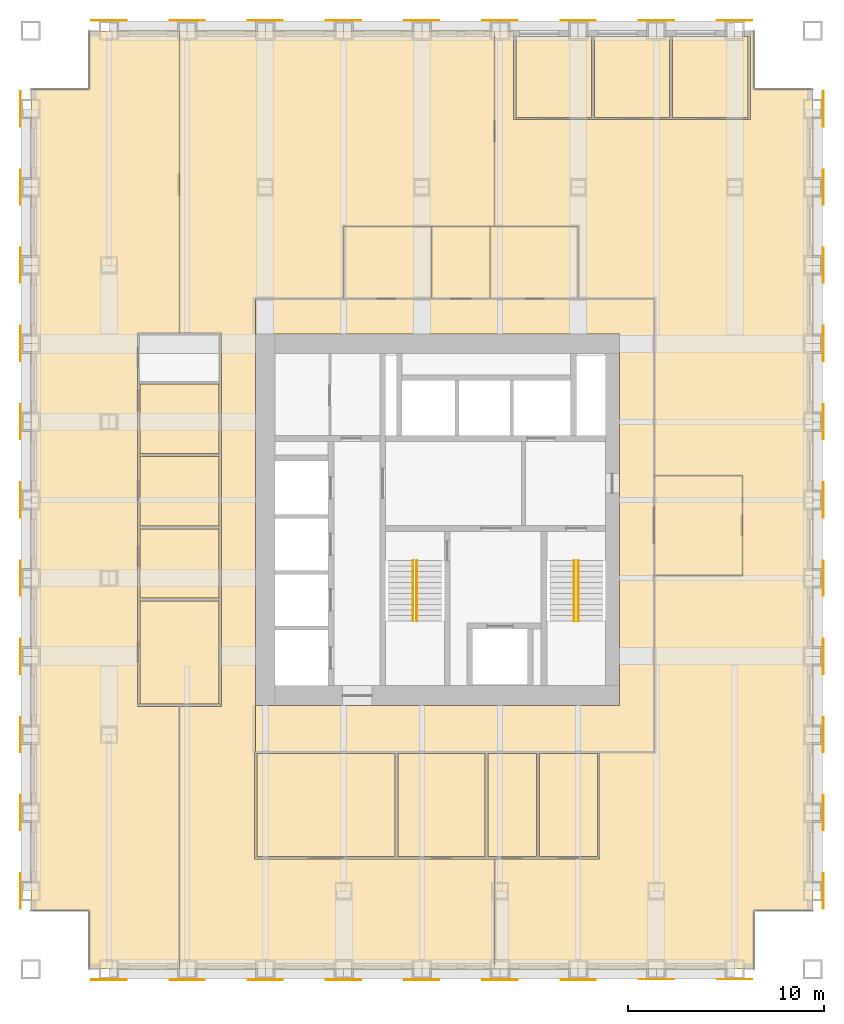
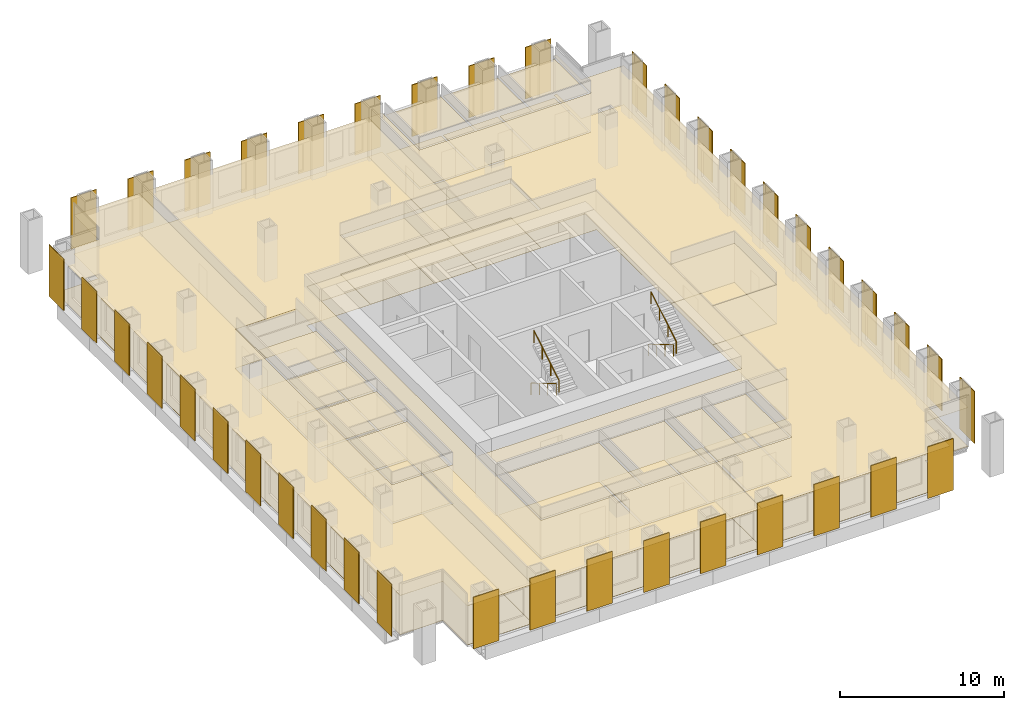
# One storey, part 12 of 12: 40 shading devices, 37 coverings, 4 railings.
"""IFC4 building model written with IfcOpenShell, lengths in metres."""

from ifc_helpers import new_model, si_unit, direction, frame, origin, origin_2d, place, context, subcontext, project, spatial, polyline, rectangle, circle, outline, extrude, material, layer, layer_set, type_object, element, save


model = new_model("IFC4")

# Units and contexts
model_context = context("Model", 3, precision=1e-05, world=origin(), true_north=direction((0.0, 1.0)))
body_context = subcontext(model_context, "Body", "Model", "MODEL_VIEW")
ifc_project = project(units=[si_unit("LENGTHUNIT", "METRE"), si_unit("AREAUNIT", "SQUARE_METRE"), si_unit("VOLUMEUNIT", "CUBIC_METRE"), si_unit("PLANEANGLEUNIT", "RADIAN"), si_unit("MASSUNIT", "GRAM", prefix="KILO")], contexts=[model_context])

# Site, building, storey
site_placement = place(None, origin())
site = spatial("IfcSite", under=ifc_project, at=site_placement, CompositionType="ELEMENT")
building_placement = place(site_placement, origin())
building = spatial("IfcBuilding", under=site, at=building_placement, Name="Rimbunsela Tower", CompositionType="ELEMENT")
storey_placement = place(building_placement, frame((0.0, 0.0, 163.800048828125)))
storey = spatial("IfcBuildingStorey", under=building, at=storey_placement, Name="L39", CompositionType="ELEMENT", Elevation=163.800048828125)

# Coverings
ifc_material_1 = material(Name="Nylon carpet tile", Category="textile")
ifc_layer_1 = layer(ifc_material_1, 0.010009765625)
ifc_layer_set_1 = layer_set([ifc_layer_1], Name="Carpet tile 10")
covering_type_1 = type_object("IfcCoveringType", Name="Carpet tile 10", PredefinedType="FLOORING", material=ifc_layer_set_1)
covering_1_placement = place(storey_placement, origin())
element("IfcCovering", 1, at=covering_1_placement, inside=storey, type_object=covering_type_1, Name="Floor finish Open office", PredefinedType="FLOORING", context=body_context, shape_type="SweptSolid", body=[
    extrude(outline(polyline([(29.72509765625, 52.0), (30.699951171875, 52.0), (30.699951171875, 47.449951171875), (34.699951171875, 47.449951171875), (34.800048828125, 47.449951171875), (37.89990234375, 47.449951171875), (38.699951171875, 47.449951171875), (38.800048828125, 47.449951171875), (42.800048828125, 47.449951171875), (42.800048828125, 52.0), (43.0, 52.0), (43.0, 49.0), (46.0, 49.0), (46.0, 7.0), (43.0, 7.0), (43.0, 4.0), (37.89990234375, 4.0), (29.72509765625, 4.0), (29.72509765625, 9.64990234375), (31.89990234375, 9.64990234375), (32.0, 9.64990234375), (35.10009765625, 9.64990234375), (35.10009765625, 15.10009765625), (37.89990234375, 15.10009765625), (37.89990234375, 24.14990234375), (42.39990234375, 24.14990234375), (42.39990234375, 29.25), (37.89990234375, 29.25), (37.89990234375, 38.300048828125), (34.0, 38.300048828125), (34.0, 42.0), (29.72509765625, 42.0), (29.72509765625, 52.0)])), origin(), (0.0, 0.0, 1.0), 0.010009765625),
])
covering_2_placement = place(storey_placement, origin())
element("IfcCovering", 2, at=covering_2_placement, inside=storey, type_object=covering_type_1, Name="Floor finish Open office", PredefinedType="FLOORING", context=body_context, shape_type="SweptSolid", body=[
    extrude(outline(polyline([(13.60009765625, 4.0), (9.0, 4.0), (9.0, 7.0), (6.0, 7.0), (6.0, 49.0), (9.0, 49.0), (9.0, 52.0), (13.60009765625, 52.0), (13.60009765625, 36.550048828125), (11.449951171875, 36.550048828125), (11.449951171875, 34.050048828125), (11.449951171875, 33.949951171875), (11.449951171875, 30.35009765625), (11.449951171875, 30.25), (11.449951171875, 26.64990234375), (11.449951171875, 26.550048828125), (11.449951171875, 22.949951171875), (11.449951171875, 22.85009765625), (11.449951171875, 17.449951171875), (13.60009765625, 17.449951171875), (13.60009765625, 4.0)])), origin(), (0.0, 0.0, 1.0), 0.010009765625),
])
covering_3_placement = place(storey_placement, origin())
element("IfcCovering", 3, at=covering_3_placement, inside=storey, type_object=covering_type_1, Name="Floor finish Open office", PredefinedType="FLOORING", context=body_context, shape_type="SweptSolid", body=[
    extrude(outline(polyline([(17.5, 4.0), (13.60009765625, 4.0), (13.60009765625, 17.449951171875), (15.75, 17.449951171875), (15.75, 22.85009765625), (15.75, 22.949951171875), (15.75, 26.550048828125), (15.75, 26.64990234375), (15.75, 30.25), (15.75, 30.35009765625), (15.75, 33.949951171875), (15.75, 34.050048828125), (15.75, 36.550048828125), (13.60009765625, 36.550048828125), (13.60009765625, 52.0), (17.5, 52.0), (29.72509765625, 52.0), (29.72509765625, 42.0), (22.0, 42.0), (22.0, 38.300048828125), (17.5, 38.300048828125), (17.5, 36.5), (17.5, 17.5), (17.5, 15.14990234375), (17.449951171875, 15.14990234375), (17.449951171875, 9.64990234375), (17.5, 9.64990234375), (24.64990234375, 9.64990234375), (24.75, 9.64990234375), (29.25, 9.64990234375), (29.35009765625, 9.64990234375), (29.72509765625, 9.64990234375), (29.72509765625, 4.0), (17.5, 4.0)])), origin(), (0.0, 0.0, 1.0), 0.010009765625),
])
covering_4_placement = place(storey_placement, origin())
element("IfcCovering", 4, at=covering_4_placement, inside=storey, type_object=covering_type_1, Name="Floor finish Reception", PredefinedType="FLOORING", context=body_context, shape_type="SweptSolid", body=[
    extrude(outline(polyline([(42.39990234375, 24.14990234375), (42.39990234375, 29.25), (37.89990234375, 29.25), (37.89990234375, 24.14990234375), (42.39990234375, 24.14990234375)])), origin(), (0.0, 0.0, 1.0), 0.010009765625),
])
covering_5_placement = place(storey_placement, origin())
element("IfcCovering", 5, at=covering_5_placement, inside=storey, type_object=covering_type_1, Name="Floor finish Executive office", PredefinedType="FLOORING", context=body_context, shape_type="SweptSolid", body=[
    extrude(outline(polyline([(34.675048828125, 47.574951171875), (34.675048828125, 51.699951171875), (30.824951171875, 51.699951171875), (30.824951171875, 47.574951171875), (34.675048828125, 47.574951171875)])), origin(), (0.0, 0.0, 1.0), 0.010009765625),
])
covering_6_placement = place(storey_placement, origin())
element("IfcCovering", 6, at=covering_6_placement, inside=storey, type_object=covering_type_1, Name="Floor finish Executive office", PredefinedType="FLOORING", context=body_context, shape_type="SweptSolid", body=[
    extrude(outline(polyline([(38.675048828125, 47.574951171875), (38.675048828125, 51.699951171875), (34.824951171875, 51.699951171875), (34.824951171875, 47.574951171875), (38.675048828125, 47.574951171875)])), origin(), (0.0, 0.0, 1.0), 0.010009765625),
])
covering_7_placement = place(storey_placement, origin())
element("IfcCovering", 7, at=covering_7_placement, inside=storey, type_object=covering_type_1, Name="Floor finish Executive office", PredefinedType="FLOORING", context=body_context, shape_type="SweptSolid", body=[
    extrude(outline(polyline([(42.675048828125, 47.574951171875), (42.675048828125, 51.699951171875), (38.824951171875, 51.699951171875), (38.824951171875, 47.574951171875), (42.675048828125, 47.574951171875)])), origin(), (0.0, 0.0, 1.0), 0.010009765625),
])
covering_8_placement = place(storey_placement, origin())
element("IfcCovering", 8, at=covering_8_placement, inside=storey, type_object=covering_type_1, Name="Floor finish Boardroom", PredefinedType="FLOORING", context=body_context, shape_type="SweptSolid", body=[
    extrude(outline(polyline([(24.625, 9.77490234375), (24.625, 15.02490234375), (17.574951171875, 15.02490234375), (17.574951171875, 9.77490234375), (24.625, 9.77490234375)])), origin(), (0.0, 0.0, 1.0), 0.010009765625),
])
covering_9_placement = place(storey_placement, origin())
element("IfcCovering", 9, at=covering_9_placement, inside=storey, type_object=covering_type_1, Name="Floor finish Pantry", PredefinedType="FLOORING", context=body_context, shape_type="SweptSolid", body=[
    extrude(outline(polyline([(29.22509765625, 9.77490234375), (29.22509765625, 15.02490234375), (24.77490234375, 15.02490234375), (24.77490234375, 9.77490234375), (29.22509765625, 9.77490234375)])), origin(), (0.0, 0.0, 1.0), 0.010009765625),
])
covering_10_placement = place(storey_placement, origin())
element("IfcCovering", 10, at=covering_10_placement, inside=storey, type_object=covering_type_1, Name="Floor finish Print and copy room", PredefinedType="FLOORING", context=body_context, shape_type="SweptSolid", body=[
    extrude(outline(polyline([(31.875, 9.77490234375), (31.875, 15.02490234375), (29.375, 15.02490234375), (29.375, 9.77490234375), (31.875, 9.77490234375)])), origin(), (0.0, 0.0, 1.0), 0.010009765625),
])
covering_11_placement = place(storey_placement, origin())
element("IfcCovering", 11, at=covering_11_placement, inside=storey, type_object=covering_type_1, Name="Floor finish Office", PredefinedType="FLOORING", context=body_context, shape_type="SweptSolid", body=[
    extrude(outline(polyline([(34.97509765625, 9.77490234375), (34.97509765625, 15.02490234375), (32.02490234375, 15.02490234375), (32.02490234375, 9.77490234375), (34.97509765625, 9.77490234375)])), origin(), (0.0, 0.0, 1.0), 0.010009765625),
])
covering_12_placement = place(storey_placement, origin())
element("IfcCovering", 12, at=covering_12_placement, inside=storey, type_object=covering_type_1, Name="Floor finish Meeting room", PredefinedType="FLOORING", context=body_context, shape_type="SweptSolid", body=[
    extrude(outline(polyline([(15.625, 17.574951171875), (15.625, 22.824951171875), (11.574951171875, 22.824951171875), (11.574951171875, 17.574951171875), (15.625, 17.574951171875)])), origin(), (0.0, 0.0, 1.0), 0.010009765625),
])
covering_13_placement = place(storey_placement, origin())
element("IfcCovering", 13, at=covering_13_placement, inside=storey, type_object=covering_type_1, Name="Floor finish Meeting room", PredefinedType="FLOORING", context=body_context, shape_type="SweptSolid", body=[
    extrude(outline(polyline([(15.625, 22.97509765625), (15.625, 26.52490234375), (11.574951171875, 26.52490234375), (11.574951171875, 22.97509765625), (15.625, 22.97509765625)])), origin(), (0.0, 0.0, 1.0), 0.010009765625),
])
covering_14_placement = place(storey_placement, origin())
element("IfcCovering", 14, at=covering_14_placement, inside=storey, type_object=covering_type_1, Name="Floor finish Meeting room", PredefinedType="FLOORING", context=body_context, shape_type="SweptSolid", body=[
    extrude(outline(polyline([(15.625, 26.675048828125), (15.625, 30.22509765625), (11.574951171875, 30.22509765625), (11.574951171875, 26.675048828125), (15.625, 26.675048828125)])), origin(), (0.0, 0.0, 1.0), 0.010009765625),
])
covering_15_placement = place(storey_placement, origin())
element("IfcCovering", 15, at=covering_15_placement, inside=storey, type_object=covering_type_1, Name="Floor finish Meeting room", PredefinedType="FLOORING", context=body_context, shape_type="SweptSolid", body=[
    extrude(outline(polyline([(15.625, 30.375), (15.625, 33.925048828125), (11.574951171875, 33.925048828125), (11.574951171875, 30.375), (15.625, 30.375)])), origin(), (0.0, 0.0, 1.0), 0.010009765625),
])
ifc_material_2 = material(Name="Mineral fibre ceiling tile", Category="gypsum")
ifc_layer_2 = layer(ifc_material_2, 0.02001953125)
ifc_layer_set_2 = layer_set([ifc_layer_2], Name="Ceiling 600 grid")
covering_type_2 = type_object("IfcCoveringType", Name="Ceiling 600 grid", PredefinedType="CEILING", material=ifc_layer_set_2)
covering_16_placement = place(storey_placement, frame((0.0, 0.0, 2.89990234375)))
element("IfcCovering", 16, at=covering_16_placement, inside=storey, type_object=covering_type_2, Name="Ceiling U-shaped corridor", PredefinedType="CEILING", context=body_context, shape_type="SweptSolid", body=[
    extrude(outline(polyline([(37.89990234375, 38.300048828125), (37.89990234375, 15.10009765625), (17.5, 15.10009765625), (17.5, 17.5), (36.10009765625, 17.5), (36.10009765625, 36.5), (17.5, 36.5), (17.5, 38.300048828125), (37.89990234375, 38.300048828125)])), origin(), (0.0, 0.0, 1.0), 0.02001953125),
])
covering_17_placement = place(storey_placement, frame((0.0, 0.0, 2.89990234375)))
element("IfcCovering", 17, at=covering_17_placement, inside=storey, type_object=covering_type_2, Name="Ceiling Open office", PredefinedType="CEILING", context=body_context, shape_type="SweptSolid", body=[
    extrude(outline(polyline([(29.72509765625, 52.0), (30.699951171875, 52.0), (30.699951171875, 47.449951171875), (34.699951171875, 47.449951171875), (34.800048828125, 47.449951171875), (37.89990234375, 47.449951171875), (38.699951171875, 47.449951171875), (38.800048828125, 47.449951171875), (42.800048828125, 47.449951171875), (42.800048828125, 52.0), (43.0, 52.0), (43.0, 49.0), (46.0, 49.0), (46.0, 7.0), (43.0, 7.0), (43.0, 4.0), (37.89990234375, 4.0), (29.72509765625, 4.0), (29.72509765625, 9.64990234375), (31.89990234375, 9.64990234375), (32.0, 9.64990234375), (35.10009765625, 9.64990234375), (35.10009765625, 15.10009765625), (37.89990234375, 15.10009765625), (37.89990234375, 24.14990234375), (42.39990234375, 24.14990234375), (42.39990234375, 29.25), (37.89990234375, 29.25), (37.89990234375, 38.300048828125), (34.0, 38.300048828125), (34.0, 42.0), (29.72509765625, 42.0), (29.72509765625, 52.0)])), origin(), (0.0, 0.0, 1.0), 0.02001953125),
])
covering_18_placement = place(storey_placement, frame((0.0, 0.0, 2.89990234375)))
element("IfcCovering", 18, at=covering_18_placement, inside=storey, type_object=covering_type_2, Name="Ceiling Open office", PredefinedType="CEILING", context=body_context, shape_type="SweptSolid", body=[
    extrude(outline(polyline([(13.60009765625, 4.0), (9.0, 4.0), (9.0, 7.0), (6.0, 7.0), (6.0, 49.0), (9.0, 49.0), (9.0, 52.0), (13.60009765625, 52.0), (13.60009765625, 36.550048828125), (11.449951171875, 36.550048828125), (11.449951171875, 34.050048828125), (11.449951171875, 33.949951171875), (11.449951171875, 30.35009765625), (11.449951171875, 30.25), (11.449951171875, 26.64990234375), (11.449951171875, 26.550048828125), (11.449951171875, 22.949951171875), (11.449951171875, 22.85009765625), (11.449951171875, 17.449951171875), (13.60009765625, 17.449951171875), (13.60009765625, 4.0)])), origin(), (0.0, 0.0, 1.0), 0.02001953125),
])
covering_19_placement = place(storey_placement, frame((0.0, 0.0, 2.89990234375)))
element("IfcCovering", 19, at=covering_19_placement, inside=storey, type_object=covering_type_2, Name="Ceiling Open office", PredefinedType="CEILING", context=body_context, shape_type="SweptSolid", body=[
    extrude(outline(polyline([(17.5, 4.0), (13.60009765625, 4.0), (13.60009765625, 17.449951171875), (15.75, 17.449951171875), (15.75, 22.85009765625), (15.75, 22.949951171875), (15.75, 26.550048828125), (15.75, 26.64990234375), (15.75, 30.25), (15.75, 30.35009765625), (15.75, 33.949951171875), (15.75, 34.050048828125), (15.75, 36.550048828125), (13.60009765625, 36.550048828125), (13.60009765625, 52.0), (17.5, 52.0), (29.72509765625, 52.0), (29.72509765625, 42.0), (22.0, 42.0), (22.0, 38.300048828125), (17.5, 38.300048828125), (17.5, 36.5), (17.5, 17.5), (17.5, 15.14990234375), (17.449951171875, 15.14990234375), (17.449951171875, 9.64990234375), (17.5, 9.64990234375), (24.64990234375, 9.64990234375), (24.75, 9.64990234375), (29.25, 9.64990234375), (29.35009765625, 9.64990234375), (29.72509765625, 9.64990234375), (29.72509765625, 4.0), (17.5, 4.0)])), origin(), (0.0, 0.0, 1.0), 0.02001953125),
])
covering_20_placement = place(storey_placement, frame((0.0, 0.0, 2.89990234375)))
element("IfcCovering", 20, at=covering_20_placement, inside=storey, type_object=covering_type_2, Name="Ceiling Reception", PredefinedType="CEILING", context=body_context, shape_type="SweptSolid", body=[
    extrude(outline(polyline([(42.39990234375, 24.14990234375), (42.39990234375, 29.25), (37.89990234375, 29.25), (37.89990234375, 24.14990234375), (42.39990234375, 24.14990234375)])), origin(), (0.0, 0.0, 1.0), 0.02001953125),
])
covering_21_placement = place(storey_placement, frame((0.0, 0.0, 2.89990234375)))
element("IfcCovering", 21, at=covering_21_placement, inside=storey, type_object=covering_type_2, Name="Ceiling Executive office", PredefinedType="CEILING", context=body_context, shape_type="SweptSolid", body=[
    extrude(outline(polyline([(34.675048828125, 47.574951171875), (34.675048828125, 51.699951171875), (30.824951171875, 51.699951171875), (30.824951171875, 47.574951171875), (34.675048828125, 47.574951171875)])), origin(), (0.0, 0.0, 1.0), 0.02001953125),
])
covering_22_placement = place(storey_placement, frame((0.0, 0.0, 2.89990234375)))
element("IfcCovering", 22, at=covering_22_placement, inside=storey, type_object=covering_type_2, Name="Ceiling Executive office", PredefinedType="CEILING", context=body_context, shape_type="SweptSolid", body=[
    extrude(outline(polyline([(38.675048828125, 47.574951171875), (38.675048828125, 51.699951171875), (34.824951171875, 51.699951171875), (34.824951171875, 47.574951171875), (38.675048828125, 47.574951171875)])), origin(), (0.0, 0.0, 1.0), 0.02001953125),
])
covering_23_placement = place(storey_placement, frame((0.0, 0.0, 2.89990234375)))
element("IfcCovering", 23, at=covering_23_placement, inside=storey, type_object=covering_type_2, Name="Ceiling Executive office", PredefinedType="CEILING", context=body_context, shape_type="SweptSolid", body=[
    extrude(outline(polyline([(42.675048828125, 47.574951171875), (42.675048828125, 51.699951171875), (38.824951171875, 51.699951171875), (38.824951171875, 47.574951171875), (42.675048828125, 47.574951171875)])), origin(), (0.0, 0.0, 1.0), 0.02001953125),
])
covering_24_placement = place(storey_placement, frame((0.0, 0.0, 2.89990234375)))
element("IfcCovering", 24, at=covering_24_placement, inside=storey, type_object=covering_type_2, Name="Ceiling Boardroom", PredefinedType="CEILING", context=body_context, shape_type="SweptSolid", body=[
    extrude(outline(polyline([(24.625, 9.77490234375), (24.625, 15.02490234375), (17.574951171875, 15.02490234375), (17.574951171875, 9.77490234375), (24.625, 9.77490234375)])), origin(), (0.0, 0.0, 1.0), 0.02001953125),
])
covering_25_placement = place(storey_placement, frame((0.0, 0.0, 2.89990234375)))
element("IfcCovering", 25, at=covering_25_placement, inside=storey, type_object=covering_type_2, Name="Ceiling Pantry", PredefinedType="CEILING", context=body_context, shape_type="SweptSolid", body=[
    extrude(outline(polyline([(29.22509765625, 9.77490234375), (29.22509765625, 15.02490234375), (24.77490234375, 15.02490234375), (24.77490234375, 9.77490234375), (29.22509765625, 9.77490234375)])), origin(), (0.0, 0.0, 1.0), 0.02001953125),
])
covering_26_placement = place(storey_placement, frame((0.0, 0.0, 2.89990234375)))
element("IfcCovering", 26, at=covering_26_placement, inside=storey, type_object=covering_type_2, Name="Ceiling Print and copy room", PredefinedType="CEILING", context=body_context, shape_type="SweptSolid", body=[
    extrude(outline(polyline([(31.875, 9.77490234375), (31.875, 15.02490234375), (29.375, 15.02490234375), (29.375, 9.77490234375), (31.875, 9.77490234375)])), origin(), (0.0, 0.0, 1.0), 0.02001953125),
])
covering_27_placement = place(storey_placement, frame((0.0, 0.0, 2.89990234375)))
element("IfcCovering", 27, at=covering_27_placement, inside=storey, type_object=covering_type_2, Name="Ceiling Office", PredefinedType="CEILING", context=body_context, shape_type="SweptSolid", body=[
    extrude(outline(polyline([(34.97509765625, 9.77490234375), (34.97509765625, 15.02490234375), (32.02490234375, 15.02490234375), (32.02490234375, 9.77490234375), (34.97509765625, 9.77490234375)])), origin(), (0.0, 0.0, 1.0), 0.02001953125),
])
covering_28_placement = place(storey_placement, frame((0.0, 0.0, 2.89990234375)))
element("IfcCovering", 28, at=covering_28_placement, inside=storey, type_object=covering_type_2, Name="Ceiling Meeting room", PredefinedType="CEILING", context=body_context, shape_type="SweptSolid", body=[
    extrude(outline(polyline([(15.625, 17.574951171875), (15.625, 22.824951171875), (11.574951171875, 22.824951171875), (11.574951171875, 17.574951171875), (15.625, 17.574951171875)])), origin(), (0.0, 0.0, 1.0), 0.02001953125),
])
covering_29_placement = place(storey_placement, frame((0.0, 0.0, 2.89990234375)))
element("IfcCovering", 29, at=covering_29_placement, inside=storey, type_object=covering_type_2, Name="Ceiling Meeting room", PredefinedType="CEILING", context=body_context, shape_type="SweptSolid", body=[
    extrude(outline(polyline([(15.625, 22.97509765625), (15.625, 26.52490234375), (11.574951171875, 26.52490234375), (11.574951171875, 22.97509765625), (15.625, 22.97509765625)])), origin(), (0.0, 0.0, 1.0), 0.02001953125),
])
covering_30_placement = place(storey_placement, frame((0.0, 0.0, 2.89990234375)))
element("IfcCovering", 30, at=covering_30_placement, inside=storey, type_object=covering_type_2, Name="Ceiling Meeting room", PredefinedType="CEILING", context=body_context, shape_type="SweptSolid", body=[
    extrude(outline(polyline([(15.625, 26.675048828125), (15.625, 30.22509765625), (11.574951171875, 30.22509765625), (11.574951171875, 26.675048828125), (15.625, 26.675048828125)])), origin(), (0.0, 0.0, 1.0), 0.02001953125),
])
covering_31_placement = place(storey_placement, frame((0.0, 0.0, 2.89990234375)))
element("IfcCovering", 31, at=covering_31_placement, inside=storey, type_object=covering_type_2, Name="Ceiling Meeting room", PredefinedType="CEILING", context=body_context, shape_type="SweptSolid", body=[
    extrude(outline(polyline([(15.625, 30.375), (15.625, 33.925048828125), (11.574951171875, 33.925048828125), (11.574951171875, 30.375), (15.625, 30.375)])), origin(), (0.0, 0.0, 1.0), 0.02001953125),
])
ifc_material_3 = material(Name="Moisture-resistant plasterboard ceiling", Category="gypsum")
ifc_layer_3 = layer(ifc_material_3, 0.012451171875)
ifc_layer_set_3 = layer_set([ifc_layer_3], Name="Ceiling moisture-resistant board")
covering_type_3 = type_object("IfcCoveringType", Name="Ceiling moisture-resistant board", PredefinedType="CEILING", material=ifc_layer_set_3)
covering_32_placement = place(storey_placement, frame((0.0, 0.0, 2.599853515625)))
element("IfcCovering", 32, at=covering_32_placement, inside=storey, type_object=covering_type_3, Name="Ceiling Female WC", PredefinedType="CEILING", context=body_context, shape_type="SweptSolid", body=[
    extrude(outline(polyline([(26.5, 38.300048828125), (26.5, 42.0), (22.0, 42.0), (22.0, 38.300048828125), (26.5, 38.300048828125)])), origin(), (0.0, 0.0, 1.0), 0.02001953125),
])
covering_33_placement = place(storey_placement, frame((0.0, 0.0, 2.599853515625)))
element("IfcCovering", 33, at=covering_33_placement, inside=storey, type_object=covering_type_3, Name="Ceiling Accessible WC", PredefinedType="CEILING", context=body_context, shape_type="SweptSolid", body=[
    extrude(outline(polyline([(29.5, 38.300048828125), (29.5, 42.0), (26.5, 42.0), (26.5, 38.300048828125), (29.5, 38.300048828125)])), origin(), (0.0, 0.0, 1.0), 0.02001953125),
])
covering_34_placement = place(storey_placement, frame((0.0, 0.0, 2.599853515625)))
element("IfcCovering", 34, at=covering_34_placement, inside=storey, type_object=covering_type_3, Name="Ceiling Male WC", PredefinedType="CEILING", context=body_context, shape_type="SweptSolid", body=[
    extrude(outline(polyline([(34.0, 38.300048828125), (34.0, 42.0), (29.5, 42.0), (29.5, 38.300048828125), (34.0, 38.300048828125)])), origin(), (0.0, 0.0, 1.0), 0.02001953125),
])
ifc_material_4 = material(Name="Porcelain floor tile in adhesive bed", Category="ceramic")
ifc_layer_4 = layer(ifc_material_4, 0.02001953125)
ifc_layer_set_4 = layer_set([ifc_layer_4], Name="Porcelain tile 20")
covering_type_4 = type_object("IfcCoveringType", Name="Porcelain tile 20", PredefinedType="FLOORING", material=ifc_layer_set_4)
covering_35_placement = place(storey_placement, origin())
element("IfcCovering", 35, at=covering_35_placement, inside=storey, type_object=covering_type_4, Name="Floor finish Female WC", PredefinedType="FLOORING", context=body_context, shape_type="SweptSolid", body=[
    extrude(outline(polyline([(26.5, 38.300048828125), (26.5, 42.0), (22.0, 42.0), (22.0, 38.300048828125), (26.5, 38.300048828125)])), origin(), (0.0, 0.0, 1.0), 0.02001953125),
])
covering_36_placement = place(storey_placement, origin())
element("IfcCovering", 36, at=covering_36_placement, inside=storey, type_object=covering_type_4, Name="Floor finish Accessible WC", PredefinedType="FLOORING", context=body_context, shape_type="SweptSolid", body=[
    extrude(outline(polyline([(29.5, 38.300048828125), (29.5, 42.0), (26.5, 42.0), (26.5, 38.300048828125), (29.5, 38.300048828125)])), origin(), (0.0, 0.0, 1.0), 0.02001953125),
])
covering_37_placement = place(storey_placement, origin())
element("IfcCovering", 37, at=covering_37_placement, inside=storey, type_object=covering_type_4, Name="Floor finish Male WC", PredefinedType="FLOORING", context=body_context, shape_type="SweptSolid", body=[
    extrude(outline(polyline([(34.0, 38.300048828125), (34.0, 42.0), (29.5, 42.0), (29.5, 38.300048828125), (34.0, 38.300048828125)])), origin(), (0.0, 0.0, 1.0), 0.02001953125),
])

# Shading devices
ifc_material_5 = material(Name="Perforated aluminium, 35 % open area", Category="aluminium")
ifc_layer_5 = layer(ifc_material_5, 0.050048828125)
ifc_layer_set_5 = layer_set([ifc_layer_5], Name="Solar screen panel 1800")
shading_device_type = type_object("IfcShadingDeviceType", Name="Solar screen panel 1800", PredefinedType="USERDEFINED", material=ifc_layer_set_5)
for number, where, z_axis, x_axis, name in (
    (38, (10.0, 3.47509765625, 0.0), (0.0, 0.0, 1.0), (1.0, 0.0, 0.0), "Solar screen S L39"),
    (39, (14.0, 3.47509765625, 0.0), (0.0, 0.0, 1.0), (1.0, 0.0, 0.0), "Solar screen S L39"),
    (40, (18.0, 3.47509765625, 0.0), (0.0, 0.0, 1.0), (1.0, 0.0, 0.0), "Solar screen S L39"),
    (41, (22.0, 3.47509765625, 0.0), (0.0, 0.0, 1.0), (1.0, 0.0, 0.0), "Solar screen S L39"),
    (42, (26.0, 3.47509765625, 0.0), (0.0, 0.0, 1.0), (1.0, 0.0, 0.0), "Solar screen S L39"),
    (43, (30.0, 3.47509765625, 0.0), (0.0, 0.0, 1.0), (1.0, 0.0, 0.0), "Solar screen S L39"),
    (44, (34.0, 3.47509765625, 0.0), (0.0, 0.0, 1.0), (1.0, 0.0, 0.0), "Solar screen S L39"),
    (45, (38.0, 3.47509765625, 0.0), (0.0, 0.0, 1.0), (1.0, 0.0, 0.0), "Solar screen S L39"),
    (46, (42.0, 3.47509765625, 0.0), (0.0, 0.0, 1.0), (1.0, 0.0, 0.0), "Solar screen S L39"),
    (47, (46.52490234375, 8.0, 0.0), (0.0, 0.0, 1.0), (0.0, 1.0, 0.0), "Solar screen E L39"),
    (48, (46.52490234375, 12.0, 0.0), (0.0, 0.0, 1.0), (0.0, 1.0, 0.0), "Solar screen E L39"),
    (49, (46.52490234375, 16.0, 0.0), (0.0, 0.0, 1.0), (0.0, 1.0, 0.0), "Solar screen E L39"),
    (50, (46.52490234375, 20.0, 0.0), (0.0, 0.0, 1.0), (0.0, 1.0, 0.0), "Solar screen E L39"),
    (51, (46.52490234375, 24.0, 0.0), (0.0, 0.0, 1.0), (0.0, 1.0, 0.0), "Solar screen E L39"),
    (52, (46.52490234375, 28.0, 0.0), (0.0, 0.0, 1.0), (0.0, 1.0, 0.0), "Solar screen E L39"),
    (53, (46.52490234375, 32.0, 0.0), (0.0, 0.0, 1.0), (0.0, 1.0, 0.0), "Solar screen E L39"),
    (54, (46.52490234375, 36.0, 0.0), (0.0, 0.0, 1.0), (0.0, 1.0, 0.0), "Solar screen E L39"),
    (55, (46.52490234375, 40.0, 0.0), (0.0, 0.0, 1.0), (0.0, 1.0, 0.0), "Solar screen E L39"),
    (56, (46.52490234375, 44.0, 0.0), (0.0, 0.0, 1.0), (0.0, 1.0, 0.0), "Solar screen E L39"),
    (57, (46.52490234375, 48.0, 0.0), (0.0, 0.0, 1.0), (0.0, 1.0, 0.0), "Solar screen E L39"),
    (58, (10.0, 52.52490234375, 0.0), (0.0, 0.0, 1.0), (1.0, 0.0, 0.0), "Solar screen N L39"),
    (59, (14.0, 52.52490234375, 0.0), (0.0, 0.0, 1.0), (1.0, 0.0, 0.0), "Solar screen N L39"),
    (60, (18.0, 52.52490234375, 0.0), (0.0, 0.0, 1.0), (1.0, 0.0, 0.0), "Solar screen N L39"),
    (61, (22.0, 52.52490234375, 0.0), (0.0, 0.0, 1.0), (1.0, 0.0, 0.0), "Solar screen N L39"),
    (62, (26.0, 52.52490234375, 0.0), (0.0, 0.0, 1.0), (1.0, 0.0, 0.0), "Solar screen N L39"),
    (63, (30.0, 52.52490234375, 0.0), (0.0, 0.0, 1.0), (1.0, 0.0, 0.0), "Solar screen N L39"),
    (64, (34.0, 52.52490234375, 0.0), (0.0, 0.0, 1.0), (1.0, 0.0, 0.0), "Solar screen N L39"),
    (65, (38.0, 52.52490234375, 0.0), (0.0, 0.0, 1.0), (1.0, 0.0, 0.0), "Solar screen N L39"),
    (66, (42.0, 52.52490234375, 0.0), (0.0, 0.0, 1.0), (1.0, 0.0, 0.0), "Solar screen N L39"),
    (67, (5.47509765625, 8.0, 0.0), (0.0, 0.0, 1.0), (0.0, 1.0, 0.0), "Solar screen W L39"),
    (68, (5.47509765625, 12.0, 0.0), (0.0, 0.0, 1.0), (0.0, 1.0, 0.0), "Solar screen W L39"),
    (69, (5.47509765625, 16.0, 0.0), (0.0, 0.0, 1.0), (0.0, 1.0, 0.0), "Solar screen W L39"),
    (70, (5.47509765625, 20.0, 0.0), (0.0, 0.0, 1.0), (0.0, 1.0, 0.0), "Solar screen W L39"),
    (71, (5.47509765625, 24.0, 0.0), (0.0, 0.0, 1.0), (0.0, 1.0, 0.0), "Solar screen W L39"),
    (72, (5.47509765625, 28.0, 0.0), (0.0, 0.0, 1.0), (0.0, 1.0, 0.0), "Solar screen W L39"),
    (73, (5.47509765625, 32.0, 0.0), (0.0, 0.0, 1.0), (0.0, 1.0, 0.0), "Solar screen W L39"),
    (74, (5.47509765625, 36.0, 0.0), (0.0, 0.0, 1.0), (0.0, 1.0, 0.0), "Solar screen W L39"),
    (75, (5.47509765625, 40.0, 0.0), (0.0, 0.0, 1.0), (0.0, 1.0, 0.0), "Solar screen W L39"),
    (76, (5.47509765625, 44.0, 0.0), (0.0, 0.0, 1.0), (0.0, 1.0, 0.0), "Solar screen W L39"),
    (77, (5.47509765625, 48.0, 0.0), (0.0, 0.0, 1.0), (0.0, 1.0, 0.0), "Solar screen W L39"),
):
    element("IfcShadingDevice", number, at=place(storey_placement, frame(where, z_axis=z_axis, x_axis=x_axis)), inside=storey, type_object=shading_device_type, Name=name, ObjectType="SCREEN", PredefinedType="USERDEFINED", context=body_context, shape_type="SweptSolid", body=[
        extrude(rectangle(XDim=1.800048828125, YDim=0.050048828125, at=origin_2d()), origin(), (0.0, 0.0, 1.0), 3.85009765625),
    ])

# Railings
ifc_material_6 = material(Name="Stainless steel tube", Category="steel")
railing_type = type_object("IfcRailingType", Name="Stair handrail 900", PredefinedType="HANDRAIL", material=ifc_material_6)
railing_1_placement = place(storey_placement, frame((25.550048828125, 24.89990234375, 0.16650390625)))
element("IfcRailing", 78, at=railing_1_placement, inside=storey, type_object=railing_type, Name="Handrail ST-A flight 1", PredefinedType="HANDRAIL", context=body_context, shape_type="SweptSolid", body=[
    extrude(circle(Radius=0.02392578125, at=origin_2d()), frame((0.0, 0.0, 0.8759765625), z_axis=(0.0, -0.859260807169, 0.511537745687), x_axis=(1.0, 0.0, 0.0)), (0.0, 0.0, 1.0), 3.584228515625),
    extrude(circle(Radius=0.02099609375, at=origin_2d()), origin(), (0.0, 0.0, 1.0), 0.851806640625),
    extrude(circle(Radius=0.02099609375, at=origin_2d()), frame((0.0, -1.026611328125, 0.611083984375)), (0.0, 0.0, 1.0), 0.851806640625),
    extrude(circle(Radius=0.02099609375, at=origin_2d()), frame((0.0, -2.05322265625, 1.222412109375)), (0.0, 0.0, 1.0), 0.851806640625),
    extrude(circle(Radius=0.02099609375, at=origin_2d()), frame((0.0, -3.079833984375, 1.83349609375)), (0.0, 0.0, 1.0), 0.851806640625),
])
railing_2_placement = place(storey_placement, frame((25.75, 21.820068359375, 2.16650390625)))
element("IfcRailing", 79, at=railing_2_placement, inside=storey, type_object=railing_type, Name="Handrail ST-A flight 2", PredefinedType="HANDRAIL", context=body_context, shape_type="SweptSolid", body=[
    extrude(circle(Radius=0.02392578125, at=origin_2d()), frame((0.0, 0.0, 0.8759765625), z_axis=(0.0, 0.859260807169, 0.511537745687), x_axis=(-1.0, 0.0, 0.0)), (0.0, 0.0, 1.0), 3.584228515625),
    extrude(circle(Radius=0.02099609375, at=origin_2d()), origin(), (0.0, 0.0, 1.0), 0.851806640625),
    extrude(circle(Radius=0.02099609375, at=origin_2d()), frame((0.0, 1.026611328125, 0.611083984375)), (0.0, 0.0, 1.0), 0.851806640625),
    extrude(circle(Radius=0.02099609375, at=origin_2d()), frame((0.0, 2.05322265625, 1.222412109375)), (0.0, 0.0, 1.0), 0.851806640625),
    extrude(circle(Radius=0.02099609375, at=origin_2d()), frame((0.0, 3.079833984375, 1.83349609375)), (0.0, 0.0, 1.0), 0.851806640625),
])
railing_3_placement = place(storey_placement, frame((33.800048828125, 24.89990234375, 0.16650390625)))
element("IfcRailing", 80, at=railing_3_placement, inside=storey, type_object=railing_type, Name="Handrail ST-B flight 1", PredefinedType="HANDRAIL", context=body_context, shape_type="SweptSolid", body=[
    extrude(circle(Radius=0.02392578125, at=origin_2d()), frame((0.0, 0.0, 0.8759765625), z_axis=(0.0, -0.859260807169, 0.511537745687), x_axis=(1.0, 0.0, 0.0)), (0.0, 0.0, 1.0), 3.584228515625),
    extrude(circle(Radius=0.02099609375, at=origin_2d()), origin(), (0.0, 0.0, 1.0), 0.851806640625),
    extrude(circle(Radius=0.02099609375, at=origin_2d()), frame((0.0, -1.026611328125, 0.611083984375)), (0.0, 0.0, 1.0), 0.851806640625),
    extrude(circle(Radius=0.02099609375, at=origin_2d()), frame((0.0, -2.05322265625, 1.222412109375)), (0.0, 0.0, 1.0), 0.851806640625),
    extrude(circle(Radius=0.02099609375, at=origin_2d()), frame((0.0, -3.079833984375, 1.83349609375)), (0.0, 0.0, 1.0), 0.851806640625),
])
railing_4_placement = place(storey_placement, frame((34.0, 21.820068359375, 2.16650390625)))
element("IfcRailing", 81, at=railing_4_placement, inside=storey, type_object=railing_type, Name="Handrail ST-B flight 2", PredefinedType="HANDRAIL", context=body_context, shape_type="SweptSolid", body=[
    extrude(circle(Radius=0.02392578125, at=origin_2d()), frame((0.0, 0.0, 0.8759765625), z_axis=(0.0, 0.859260807169, 0.511537745687), x_axis=(-1.0, 0.0, 0.0)), (0.0, 0.0, 1.0), 3.584228515625),
    extrude(circle(Radius=0.02099609375, at=origin_2d()), origin(), (0.0, 0.0, 1.0), 0.851806640625),
    extrude(circle(Radius=0.02099609375, at=origin_2d()), frame((0.0, 1.026611328125, 0.611083984375)), (0.0, 0.0, 1.0), 0.851806640625),
    extrude(circle(Radius=0.02099609375, at=origin_2d()), frame((0.0, 2.05322265625, 1.222412109375)), (0.0, 0.0, 1.0), 0.851806640625),
    extrude(circle(Radius=0.02099609375, at=origin_2d()), frame((0.0, 3.079833984375, 1.83349609375)), (0.0, 0.0, 1.0), 0.851806640625),
])

save(model, "model.ifc")
